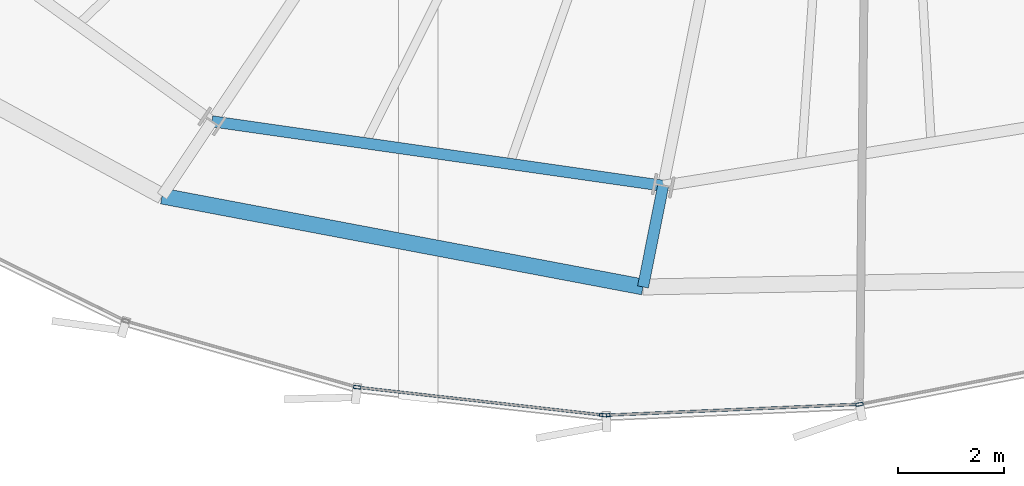
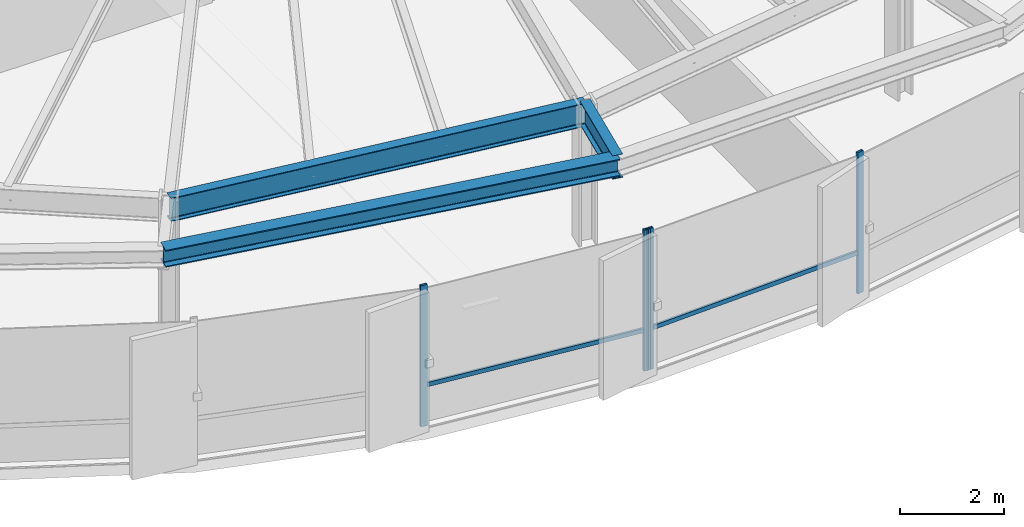
# One storey, part 5 of 34: 6 members, 3 beams, 2 elements without a shape of their own.
"""IFC4 building model written with IfcOpenShell, lengths in metres."""

from ifc_helpers import new_model, si_unit, direction, frame, origin, origin_2d, place, context, subcontext, project, spatial, hollow_rectangle, i_section, extrude, source, transform, mapped, material, layer, layer_set, material_profile, profile_set, type_object, element, aggregate, save


model = new_model("IFC4")

# Units and contexts
model_context = context("Model", 3, precision=1e-05, world=origin(), true_north=direction((0.0, 1.0)))
body_context = subcontext(model_context, "Body", "Model", "MODEL_VIEW")
ifc_project = project(units=[si_unit("LENGTHUNIT", "METRE"), si_unit("AREAUNIT", "SQUARE_METRE"), si_unit("VOLUMEUNIT", "CUBIC_METRE"), si_unit("PLANEANGLEUNIT", "RADIAN"), si_unit("MASSUNIT", "GRAM", prefix="KILO"), si_unit("THERMODYNAMICTEMPERATUREUNIT", "KELVIN")], contexts=[model_context])

# Site, building, storey
site_placement = place(None, origin())
site = spatial("IfcSite", under=ifc_project, at=site_placement, CompositionType="ELEMENT")
building_placement = place(site_placement, origin())
building = spatial("IfcBuilding", under=site, at=building_placement, Name="Kethvar Cultural Tower", CompositionType="ELEMENT")
storey_placement = place(building_placement, frame((0.0, 0.0, 128.800048828125)))
storey = spatial("IfcBuildingStorey", under=building, at=storey_placement, Name="L32", CompositionType="ELEMENT", Elevation=128.800048828125)

# Beams
ifc_material_1 = material(Name="Steel S355J2", Category="steel")
ifc_material_profile_1 = material_profile(ifc_material_1, i_section(OverallWidth=0.2099609375, OverallDepth=0.550048828125, WebThickness=0.010986328125, FlangeThickness=0.01708984375, FilletRadius=0.02392578125, at=origin_2d()), Name="Steel S355J2 — IPE550")
ifc_profile_set_1 = profile_set([ifc_material_profile_1], Name="Steel S355J2 — IPE550")
beam_type_1 = type_object("IfcBeamType", Name="BM-IPE550", PredefinedType="BEAM", material=ifc_profile_set_1)
shared_shape_1 = source(origin(), body_context, "Body", "SweptSolid", [
    extrude(i_section(OverallWidth=0.2099609375, OverallDepth=0.550048828125, WebThickness=0.010986328125, FlangeThickness=0.01708984375, FilletRadius=0.02392578125, at=origin_2d()), origin(), (0.0, 0.0, 1.0), 8.587890625),
])
beam_1_placement = place(storey_placement, frame((34.350830078125, 9.16845703125, 3.02294921875), z_axis=(0.989943807123, -0.141461156288, 0.0), x_axis=(0.141461156288, 0.989943807123, 0.0)))
element("IfcBeam", 1, at=beam_1_placement, inside=storey, type_object=beam_type_1, Name="L32 Column Ring Tie Beam CR-11", PredefinedType="BEAM", context=body_context, shape_type="MappedRepresentation", body=[
    mapped(shared_shape_1, transform((0.0, 0.0, 0.0), scale=1.0)),
])
shared_shape_2 = source(origin(), body_context, "Body", "SweptSolid", [
    extrude(i_section(OverallWidth=0.2099609375, OverallDepth=0.550048828125, WebThickness=0.010986328125, FlangeThickness=0.01708984375, FilletRadius=0.02392578125, at=origin_2d()), origin(), (0.0, 0.0, 1.0), 1.944580078125),
])
beam_2_placement = place(storey_placement, frame((42.852294921875, 7.95361328125, 3.02294921875), z_axis=(-0.195101986683, -0.980782960085, 0.0), x_axis=(0.980782960085, -0.195101986683, 0.0)))
element("IfcBeam", 2, at=beam_2_placement, inside=storey, type_object=beam_type_1, Name="L32 Perimeter Cantilever Beam RC-12", PredefinedType="BEAM", context=body_context, shape_type="MappedRepresentation", body=[
    mapped(shared_shape_2, transform((0.0, 0.0, 0.0), scale=1.0)),
])
ifc_material_profile_2 = material_profile(ifc_material_1, i_section(OverallWidth=0.300048828125, OverallDepth=0.39990234375, WebThickness=0.013427734375, FlangeThickness=0.02392578125, FilletRadius=0.027099609375, at=origin_2d()), Name="Steel S355J2 — HEB400")
ifc_profile_set_2 = profile_set([ifc_material_profile_2], Name="Steel S355J2 — HEB400")
beam_type_2 = type_object("IfcBeamType", Name="BM-SP400", PredefinedType="SPANDREL", material=ifc_profile_set_2)
shared_shape_3 = source(origin(), body_context, "Body", "SweptSolid", [
    extrude(i_section(OverallWidth=0.300048828125, OverallDepth=0.39990234375, WebThickness=0.013427734375, FlangeThickness=0.02392578125, FilletRadius=0.027099609375, at=origin_2d()), origin(), (0.0, 0.0, 1.0), 9.223876953125),
])
beam_3_placement = place(storey_placement, frame((33.40966796875, 7.759765625, 3.097900390625), z_axis=(0.98259571581, -0.185756989833, 0.0), x_axis=(0.185756989833, 0.98259571581, 0.0)))
element("IfcBeam", 3, at=beam_3_placement, inside=storey, type_object=beam_type_2, Name="L32 Perimeter Spandrel Beam SP-11", PredefinedType="SPANDREL", context=body_context, shape_type="MappedRepresentation", body=[
    mapped(shared_shape_3, transform((0.0, 0.0, 0.0), scale=1.0)),
])

# Curtain wall, members
ifc_material_2 = material(Name="Aluminium 6063-T6", Category="aluminium")
ifc_layer = layer(ifc_material_2, 0.179931640625, Name="Aluminium 6063-T6", Category="aluminium")
ifc_layer_set = layer_set([ifc_layer], Name="Aluminium 6063-T6 (180 mm)")
curtain_wall_type = type_object("IfcCurtainWallType", Name="CW-SYS-04-Z34", PredefinedType="NOTDEFINED", material=ifc_layer_set)
curtain_wall_1_placement = place(storey_placement, origin())
curtain_wall_1 = element("IfcCurtainWall", 4, at=curtain_wall_1_placement, inside=storey, type_object=curtain_wall_type, Name="L32 Curtain Wall Run 04", PredefinedType="NOTDEFINED")
ifc_material_profile_3 = material_profile(ifc_material_2, hollow_rectangle(XDim=0.06005859375, YDim=0.139892578125, WallThickness=0.0048828125, at=origin_2d()), Name="Aluminium 6063-T6 — RHS140x60x5")
ifc_profile_set_3 = profile_set([ifc_material_profile_3], Name="Aluminium 6063-T6 — RHS140x60x5")
member_type_1 = type_object("IfcMemberType", Name="CW-SYS-04-Z34-MUL", PredefinedType="MULLION", material=ifc_profile_set_3)
shared_shape_4 = source(origin(), body_context, "Body", "SweptSolid", [
    extrude(hollow_rectangle(XDim=0.06005859375, YDim=0.139892578125, WallThickness=0.0048828125, at=origin_2d()), origin(), (0.0, 0.0, 1.0), 3.300048828125),
])
member_1_placement = place(storey_placement, frame((37.08642578125, 4.15673828125, 0.0), z_axis=(0.0, 0.0, 1.0), x_axis=(0.112457514648, 0.993656533919, 0.0)))
member_1 = element("IfcMember", 5, at=member_1_placement, type_object=member_type_1, Name="CW-L32-R04 Mullion 6", PredefinedType="MULLION", context=body_context, shape_type="MappedRepresentation", body=[
    mapped(shared_shape_4, transform((0.0, 0.0, 0.0), scale=1.0)),
])
member_2_placement = place(storey_placement, frame((41.72021484375, 3.63232421875, 0.0), z_axis=(0.0, 0.0, 1.0), x_axis=(0.112457514648, 0.993656533919, 0.0)))
member_2 = element("IfcMember", 6, at=member_2_placement, type_object=member_type_1, Name="CW-L32-R04 Mullion 7", PredefinedType="MULLION", context=body_context, shape_type="MappedRepresentation", body=[
    mapped(shared_shape_4, transform((0.0, 0.0, 0.0), scale=1.0)),
])

curtain_wall_2_placement = place(storey_placement, origin())
curtain_wall_2 = element("IfcCurtainWall", 7, at=curtain_wall_2_placement, inside=storey, type_object=curtain_wall_type, Name="L32 Curtain Wall Run 05", PredefinedType="NOTDEFINED")
member_3_placement = place(storey_placement, frame((41.781005859375, 3.63037109375, 0.0), z_axis=(0.0, 0.0, 1.0), x_axis=(-0.043270651098, 0.999063386755, 0.0)))
member_3 = element("IfcMember", 8, at=member_3_placement, type_object=member_type_1, Name="CW-L32-R05 Mullion 1", PredefinedType="MULLION", context=body_context, shape_type="MappedRepresentation", body=[
    mapped(shared_shape_4, transform((0.0, 0.0, 0.0), scale=1.0)),
])
member_4_placement = place(storey_placement, frame((46.5517578125, 3.835693359375, 0.0), z_axis=(0.0, 0.0, 1.0), x_axis=(-0.190997450749, 0.98159053266, 0.0)))
member_4 = element("IfcMember", 9, at=member_4_placement, type_object=member_type_1, Name="CW-L32-R05 Mullion 2", PredefinedType="MULLION", context=body_context, shape_type="MappedRepresentation", body=[
    mapped(shared_shape_4, transform((0.0, 0.0, 0.0), scale=1.0)),
])
ifc_material_profile_4 = material_profile(ifc_material_2, hollow_rectangle(XDim=0.050048828125, YDim=0.10009765625, WallThickness=0.00390625, at=origin_2d()), Name="Aluminium 6063-T6 — RHS100x50x4")
ifc_profile_set_4 = profile_set([ifc_material_profile_4], Name="Aluminium 6063-T6 — RHS100x50x4")
member_type_2 = type_object("IfcMemberType", Name="CW-SYS-04-Z34-TRN", PredefinedType="USERDEFINED", material=ifc_profile_set_4)
shared_shape_5 = source(origin(), body_context, "Body", "SweptSolid", [
    extrude(hollow_rectangle(XDim=0.050048828125, YDim=0.10009765625, WallThickness=0.00390625, at=origin_2d()), origin(), (0.0, 0.0, 1.0), 4.744140625),
])
member_5_placement = place(storey_placement, frame((41.78515625, 3.630615234375, 0.949951171875), z_axis=(0.999065263359, 0.04322730098, 0.0), x_axis=(-0.04322730098, 0.999065263359, 0.0)))
member_5 = element("IfcMember", 10, at=member_5_placement, type_object=member_type_2, Name="CW-L32-R05 Transom 1", ObjectType="TRANSOM", PredefinedType="USERDEFINED", context=body_context, shape_type="MappedRepresentation", body=[
    mapped(shared_shape_5, transform((0.0, 0.0, 0.0), scale=1.0)),
])
aggregate(curtain_wall_2, [member_3, member_4, member_5])

# Member
shared_shape_6 = source(origin(), body_context, "Body", "SweptSolid", [
    extrude(hollow_rectangle(XDim=0.050048828125, YDim=0.10009765625, WallThickness=0.00390625, at=origin_2d()), origin(), (0.0, 0.0, 1.0), 4.615966796875),
])
member_6_placement = place(storey_placement, frame((37.12939453125, 4.15185546875, 0.949951171875), z_axis=(0.99365787533, -0.112445661519, 0.0), x_axis=(0.112445661519, 0.99365787533, 0.0)))
member_6 = element("IfcMember", 11, at=member_6_placement, type_object=member_type_2, Name="CW-L32-R04 Transom 6", ObjectType="TRANSOM", PredefinedType="USERDEFINED", context=body_context, shape_type="MappedRepresentation", body=[
    mapped(shared_shape_6, transform((0.0, 0.0, 0.0), scale=1.0)),
])

aggregate(curtain_wall_1, [member_1, member_2, member_6])

save(model, "model.ifc")
